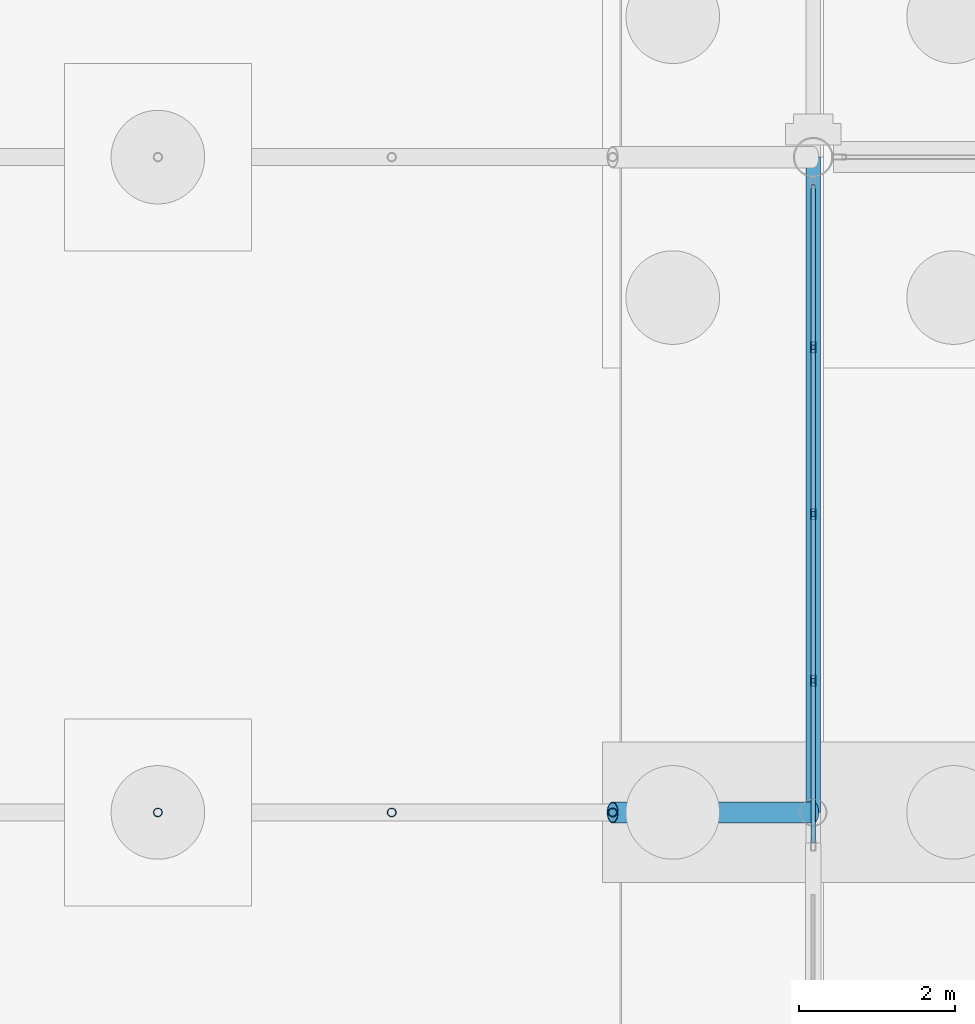
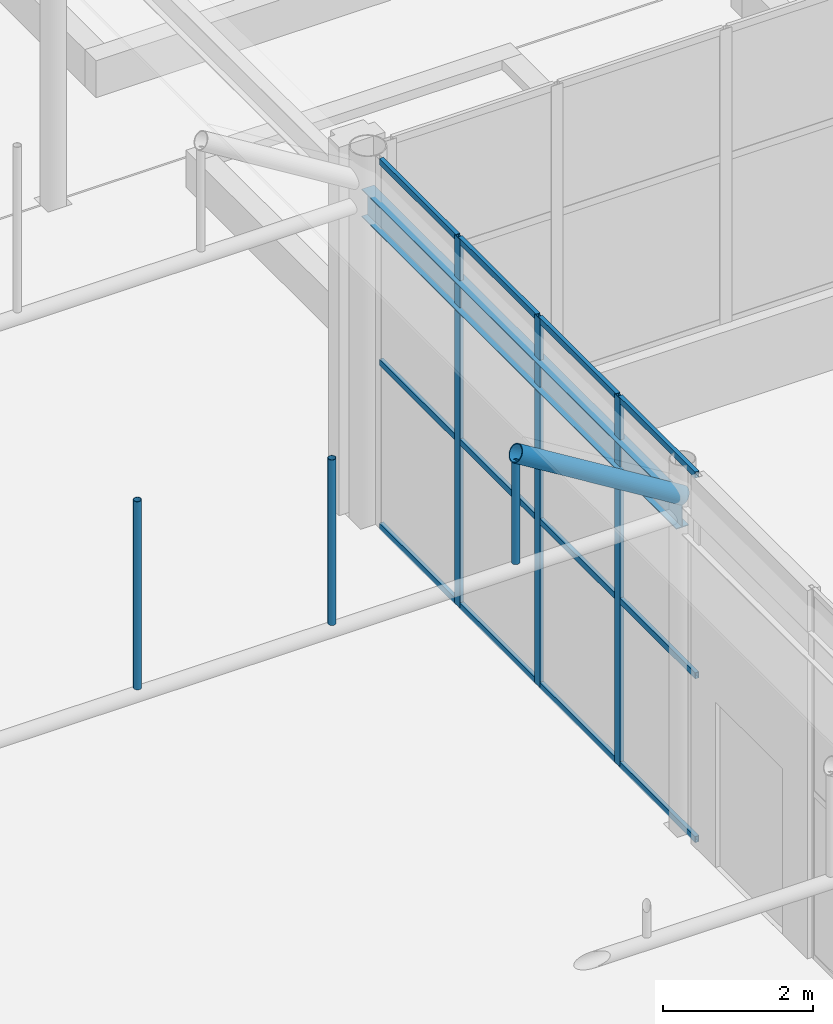
# One storey, part 133 of 212: 19 members, 1 beam, 1 element without a shape of its own.
"""IFC4 building model written with IfcOpenShell, lengths in metres."""

from ifc_helpers import new_model, si_unit, direction, frame, origin, origin_2d, place, context, subcontext, project, spatial, hollow_rectangle, hollow_circle, i_section, extrude, material, material_profile, profile_set, type_object, element, aggregate, save


model = new_model("IFC4")

# Units and contexts
model_context = context("Model", 3, precision=1e-05, world=origin(), true_north=direction((0.0, 1.0)))
body_context = subcontext(model_context, "Body", "Model", "MODEL_VIEW")
ifc_project = project(units=[si_unit("LENGTHUNIT", "METRE"), si_unit("AREAUNIT", "SQUARE_METRE"), si_unit("VOLUMEUNIT", "CUBIC_METRE"), si_unit("PLANEANGLEUNIT", "RADIAN"), si_unit("MASSUNIT", "GRAM", prefix="KILO")], contexts=[model_context])

# Site, building, storey
site_placement = place(None, origin())
site = spatial("IfcSite", under=ifc_project, at=site_placement, CompositionType="ELEMENT")
building_placement = place(site_placement, origin())
building = spatial("IfcBuilding", under=site, at=building_placement, Name="Catenary Quay Ferry Terminal", CompositionType="ELEMENT")
storey_placement = place(building_placement, origin())
storey = spatial("IfcBuildingStorey", under=building, at=storey_placement, Name="L00", CompositionType="ELEMENT", Elevation=0.0)

# Beam
ifc_material_1 = material(Name="Steel S355", Category="steel")
ifc_material_profile_1 = material_profile(ifc_material_1, i_section(OverallWidth=0.18994140625, OverallDepth=0.453369140625, WebThickness=0.008544921875, FlangeThickness=0.0126953125, at=origin_2d()), Name="UB 457x191x67")
ifc_profile_set_1 = profile_set([ifc_material_profile_1], Name="Steel S355")
beam_type = type_object("IfcBeamType", Name="B1 UB 457x191x67", PredefinedType="BEAM", material=ifc_profile_set_1)
beam_placement = place(storey_placement, frame((25.199951171875, 134.39990234375, 5.10009765625), z_axis=(0.0, 1.0, 0.0), x_axis=(-1.0, 0.0, 0.0)))
element("IfcBeam", 1, at=beam_placement, inside=storey, type_object=beam_type, Name="Eaves beam B-FD9", PredefinedType="BEAM", context=body_context, shape_type="SweptSolid", body=[
    extrude(i_section(OverallWidth=0.18994140625, OverallDepth=0.453369140625, WebThickness=0.008544921875, FlangeThickness=0.0126953125, at=origin_2d()), origin(), (0.0, 0.0, 1.0), 8.400146484375),
])

# Members
ifc_material_2 = material(Name="Steel S355", Category="steel")
ifc_material_profile_2 = material_profile(ifc_material_2, hollow_circle(Radius=0.05712890625, WallThickness=0.00634765625, at=origin_2d()), Name="CHS 114.3x6.3")
ifc_profile_set_2 = profile_set([ifc_material_profile_2], Name="Steel S355")
member_type_1 = type_object("IfcMemberType", Name="HG1 CHS 114.3x6.3", PredefinedType="POST", material=ifc_profile_set_2)
member_1_placement = place(storey_placement, frame((16.800048828125, 134.39990234375, 5.205078125), z_axis=(0.0, 0.0, 1.0), x_axis=(1.0, 0.0, 0.0)))
element("IfcMember", 2, at=member_1_placement, inside=storey, type_object=member_type_1, Name="Hanger FC-09-03", PredefinedType="POST", context=body_context, shape_type="SweptSolid", body=[
    extrude(hollow_circle(Radius=0.05712890625, WallThickness=0.00634765625, at=origin_2d()), origin(), (0.0, 0.0, 1.0), 3.06494140625),
])
member_2_placement = place(storey_placement, frame((19.797119140625, 134.39990234375, 5.205078125), z_axis=(0.0, 0.0, 1.0), x_axis=(1.0, 0.0, 0.0)))
element("IfcMember", 3, at=member_2_placement, inside=storey, type_object=member_type_1, Name="Hanger FC-09-04", PredefinedType="POST", context=body_context, shape_type="SweptSolid", body=[
    extrude(hollow_circle(Radius=0.05712890625, WallThickness=0.00634765625, at=origin_2d()), origin(), (0.0, 0.0, 1.0), 2.69580078125),
])
member_3_placement = place(storey_placement, frame((22.62890625, 134.39990234375, 5.205078125), z_axis=(0.0, 0.0, 1.0), x_axis=(1.0, 0.0, 0.0)))
element("IfcMember", 4, at=member_3_placement, inside=storey, type_object=member_type_1, Name="Hanger FC-09-05", PredefinedType="POST", context=body_context, shape_type="SweptSolid", body=[
    extrude(hollow_circle(Radius=0.05712890625, WallThickness=0.00634765625, at=origin_2d()), origin(), (0.0, 0.0, 1.0), 1.64892578125),
])

# Curtain wall, members
ifc_material_3 = material(Name="Aluminium and glass", Category="aluminium")
curtain_wall_type = type_object("IfcCurtainWallType", Name="CWG", PredefinedType="NOTDEFINED", material=ifc_material_3)
curtain_wall_placement = place(storey_placement, origin())
curtain_wall = element("IfcCurtainWall", 5, at=curtain_wall_placement, inside=storey, type_object=curtain_wall_type, Name="Gable departure hall curtain wall CW15", PredefinedType="NOTDEFINED")
ifc_material_4 = material(Name="Aluminium", Category="aluminium")
ifc_material_profile_3 = material_profile(ifc_material_4, hollow_rectangle(XDim=0.06005859375, YDim=0.139892578125, WallThickness=0.006103515625, at=origin_2d()), Name="MU2")
ifc_profile_set_3 = profile_set([ifc_material_profile_3], Name="Aluminium")
member_type_2 = type_object("IfcMemberType", Name="MU2", PredefinedType="MULLION", material=ifc_profile_set_3)
member_4_placement = place(storey_placement, frame((25.199951171875, 136.08740234375, 0.0), z_axis=(0.0, 0.0, 1.0), x_axis=(-1.0, 0.0, 0.0)))
member_4 = element("IfcMember", 6, at=member_4_placement, type_object=member_type_2, Name="CW15 mullion 2", PredefinedType="MULLION", context=body_context, shape_type="SweptSolid", body=[
    extrude(hollow_rectangle(XDim=0.06005859375, YDim=0.139892578125, WallThickness=0.006103515625, at=origin_2d()), origin(), (0.0, 0.0, 1.0), 6.0),
])
member_5_placement = place(storey_placement, frame((25.199951171875, 138.22509765625, 0.0), z_axis=(0.0, 0.0, 1.0), x_axis=(-1.0, 0.0, 0.0)))
member_5 = element("IfcMember", 7, at=member_5_placement, type_object=member_type_2, Name="CW15 mullion 3", PredefinedType="MULLION", context=body_context, shape_type="SweptSolid", body=[
    extrude(hollow_rectangle(XDim=0.06005859375, YDim=0.139892578125, WallThickness=0.006103515625, at=origin_2d()), origin(), (0.0, 0.0, 1.0), 6.0),
])
member_6_placement = place(storey_placement, frame((25.199951171875, 140.362548828125, 0.0), z_axis=(0.0, 0.0, 1.0), x_axis=(-1.0, 0.0, 0.0)))
member_6 = element("IfcMember", 8, at=member_6_placement, type_object=member_type_2, Name="CW15 mullion 4", PredefinedType="MULLION", context=body_context, shape_type="SweptSolid", body=[
    extrude(hollow_rectangle(XDim=0.06005859375, YDim=0.139892578125, WallThickness=0.006103515625, at=origin_2d()), origin(), (0.0, 0.0, 1.0), 6.0),
])
ifc_material_5 = material(Name="Aluminium", Category="aluminium")
ifc_material_profile_4 = material_profile(ifc_material_5, hollow_rectangle(XDim=0.06005859375, YDim=0.10009765625, WallThickness=0.0048828125, at=origin_2d()), Name="TR2")
ifc_profile_set_4 = profile_set([ifc_material_profile_4], Name="Aluminium")
member_type_3 = type_object("IfcMemberType", Name="TR2", PredefinedType="USERDEFINED", material=ifc_profile_set_4)
member_7_placement = place(storey_placement, frame((25.199951171875, 134.010009765625, 0.030029296875), z_axis=(0.0, 1.0, 0.0), x_axis=(-1.0, 0.0, 0.0)))
member_7 = element("IfcMember", 9, at=member_7_placement, type_object=member_type_3, Name="CW15 transom 1.1", ObjectType="TRANSOM", PredefinedType="USERDEFINED", context=body_context, shape_type="SweptSolid", body=[
    extrude(hollow_rectangle(XDim=0.06005859375, YDim=0.10009765625, WallThickness=0.0048828125, at=origin_2d()), origin(), (0.0, 0.0, 1.0), 2.047607421875),
])
member_8_placement = place(storey_placement, frame((25.199951171875, 134.010009765625, 2.699951171875), z_axis=(0.0, 1.0, 0.0), x_axis=(-1.0, 0.0, 0.0)))
member_8 = element("IfcMember", 10, at=member_8_placement, type_object=member_type_3, Name="CW15 transom 1.2", ObjectType="TRANSOM", PredefinedType="USERDEFINED", context=body_context, shape_type="SweptSolid", body=[
    extrude(hollow_rectangle(XDim=0.06005859375, YDim=0.10009765625, WallThickness=0.0048828125, at=origin_2d()), origin(), (0.0, 0.0, 1.0), 2.047607421875),
])
member_9_placement = place(storey_placement, frame((25.199951171875, 134.010009765625, 5.969970703125), z_axis=(0.0, 1.0, 0.0), x_axis=(-1.0, 0.0, 0.0)))
member_9 = element("IfcMember", 11, at=member_9_placement, type_object=member_type_3, Name="CW15 transom 1.3", ObjectType="TRANSOM", PredefinedType="USERDEFINED", context=body_context, shape_type="SweptSolid", body=[
    extrude(hollow_rectangle(XDim=0.06005859375, YDim=0.10009765625, WallThickness=0.0048828125, at=origin_2d()), origin(), (0.0, 0.0, 1.0), 2.047607421875),
])
member_10_placement = place(storey_placement, frame((25.199951171875, 136.117431640625, 0.030029296875), z_axis=(0.0, 1.0, 0.0), x_axis=(-1.0, 0.0, 0.0)))
member_10 = element("IfcMember", 12, at=member_10_placement, type_object=member_type_3, Name="CW15 transom 2.1", ObjectType="TRANSOM", PredefinedType="USERDEFINED", context=body_context, shape_type="SweptSolid", body=[
    extrude(hollow_rectangle(XDim=0.06005859375, YDim=0.10009765625, WallThickness=0.0048828125, at=origin_2d()), origin(), (0.0, 0.0, 1.0), 2.07763671875),
])
member_11_placement = place(storey_placement, frame((25.199951171875, 136.117431640625, 2.699951171875), z_axis=(0.0, 1.0, 0.0), x_axis=(-1.0, 0.0, 0.0)))
member_11 = element("IfcMember", 13, at=member_11_placement, type_object=member_type_3, Name="CW15 transom 2.2", ObjectType="TRANSOM", PredefinedType="USERDEFINED", context=body_context, shape_type="SweptSolid", body=[
    extrude(hollow_rectangle(XDim=0.06005859375, YDim=0.10009765625, WallThickness=0.0048828125, at=origin_2d()), origin(), (0.0, 0.0, 1.0), 2.07763671875),
])
member_12_placement = place(storey_placement, frame((25.199951171875, 136.117431640625, 5.969970703125), z_axis=(0.0, 1.0, 0.0), x_axis=(-1.0, 0.0, 0.0)))
member_12 = element("IfcMember", 14, at=member_12_placement, type_object=member_type_3, Name="CW15 transom 2.3", ObjectType="TRANSOM", PredefinedType="USERDEFINED", context=body_context, shape_type="SweptSolid", body=[
    extrude(hollow_rectangle(XDim=0.06005859375, YDim=0.10009765625, WallThickness=0.0048828125, at=origin_2d()), origin(), (0.0, 0.0, 1.0), 2.07763671875),
])
member_13_placement = place(storey_placement, frame((25.199951171875, 138.2548828125, 0.030029296875), z_axis=(0.0, 1.0, 0.0), x_axis=(-1.0, 0.0, 0.0)))
member_13 = element("IfcMember", 15, at=member_13_placement, type_object=member_type_3, Name="CW15 transom 3.1", ObjectType="TRANSOM", PredefinedType="USERDEFINED", context=body_context, shape_type="SweptSolid", body=[
    extrude(hollow_rectangle(XDim=0.06005859375, YDim=0.10009765625, WallThickness=0.0048828125, at=origin_2d()), origin(), (0.0, 0.0, 1.0), 2.07763671875),
])
member_14_placement = place(storey_placement, frame((25.199951171875, 138.2548828125, 2.699951171875), z_axis=(0.0, 1.0, 0.0), x_axis=(-1.0, 0.0, 0.0)))
member_14 = element("IfcMember", 16, at=member_14_placement, type_object=member_type_3, Name="CW15 transom 3.2", ObjectType="TRANSOM", PredefinedType="USERDEFINED", context=body_context, shape_type="SweptSolid", body=[
    extrude(hollow_rectangle(XDim=0.06005859375, YDim=0.10009765625, WallThickness=0.0048828125, at=origin_2d()), origin(), (0.0, 0.0, 1.0), 2.07763671875),
])
member_15_placement = place(storey_placement, frame((25.199951171875, 138.2548828125, 5.969970703125), z_axis=(0.0, 1.0, 0.0), x_axis=(-1.0, 0.0, 0.0)))
member_15 = element("IfcMember", 17, at=member_15_placement, type_object=member_type_3, Name="CW15 transom 3.3", ObjectType="TRANSOM", PredefinedType="USERDEFINED", context=body_context, shape_type="SweptSolid", body=[
    extrude(hollow_rectangle(XDim=0.06005859375, YDim=0.10009765625, WallThickness=0.0048828125, at=origin_2d()), origin(), (0.0, 0.0, 1.0), 2.07763671875),
])
member_16_placement = place(storey_placement, frame((25.199951171875, 140.392578125, 0.030029296875), z_axis=(0.0, 1.0, 0.0), x_axis=(-1.0, 0.0, 0.0)))
member_16 = element("IfcMember", 18, at=member_16_placement, type_object=member_type_3, Name="CW15 transom 4.1", ObjectType="TRANSOM", PredefinedType="USERDEFINED", context=body_context, shape_type="SweptSolid", body=[
    extrude(hollow_rectangle(XDim=0.06005859375, YDim=0.10009765625, WallThickness=0.0048828125, at=origin_2d()), origin(), (0.0, 0.0, 1.0), 2.04736328125),
])
member_17_placement = place(storey_placement, frame((25.199951171875, 140.392578125, 2.699951171875), z_axis=(0.0, 1.0, 0.0), x_axis=(-1.0, 0.0, 0.0)))
member_17 = element("IfcMember", 19, at=member_17_placement, type_object=member_type_3, Name="CW15 transom 4.2", ObjectType="TRANSOM", PredefinedType="USERDEFINED", context=body_context, shape_type="SweptSolid", body=[
    extrude(hollow_rectangle(XDim=0.06005859375, YDim=0.10009765625, WallThickness=0.0048828125, at=origin_2d()), origin(), (0.0, 0.0, 1.0), 2.04736328125),
])
member_18_placement = place(storey_placement, frame((25.199951171875, 140.392578125, 5.969970703125), z_axis=(0.0, 1.0, 0.0), x_axis=(-1.0, 0.0, 0.0)))
member_18 = element("IfcMember", 20, at=member_18_placement, type_object=member_type_3, Name="CW15 transom 4.3", ObjectType="TRANSOM", PredefinedType="USERDEFINED", context=body_context, shape_type="SweptSolid", body=[
    extrude(hollow_rectangle(XDim=0.06005859375, YDim=0.10009765625, WallThickness=0.0048828125, at=origin_2d()), origin(), (0.0, 0.0, 1.0), 2.04736328125),
])
aggregate(curtain_wall, [member_4, member_5, member_6, member_7, member_8, member_9, member_10, member_11, member_12, member_13, member_14, member_15, member_16, member_17, member_18])

# Member
ifc_material_6 = material(Name="Steel S355", Category="steel")
ifc_material_profile_5 = material_profile(ifc_material_6, hollow_circle(Radius=0.136474609375, WallThickness=0.012451171875, at=origin_2d()), Name="CHS 273x12.5")
ifc_profile_set_5 = profile_set([ifc_material_profile_5], Name="Steel S355")
member_type_4 = type_object("IfcMemberType", Name="VR2 CHS 273x12.5", PredefinedType="RAFTER", material=ifc_profile_set_5)
member_19_placement = place(storey_placement, frame((22.62890625, 134.39990234375, 6.98388671875), z_axis=(0.851391726314, 0.0, -0.524530388408), x_axis=(0.0, 1.0, 0.0)))
element("IfcMember", 21, at=member_19_placement, inside=storey, type_object=member_type_4, Name="rib FC-09-06", PredefinedType="RAFTER", context=body_context, shape_type="SweptSolid", body=[
    extrude(hollow_circle(Radius=0.136474609375, WallThickness=0.012451171875, at=origin_2d()), origin(), (0.0, 0.0, 1.0), 3.019775390625),
])

save(model, "model.ifc")
